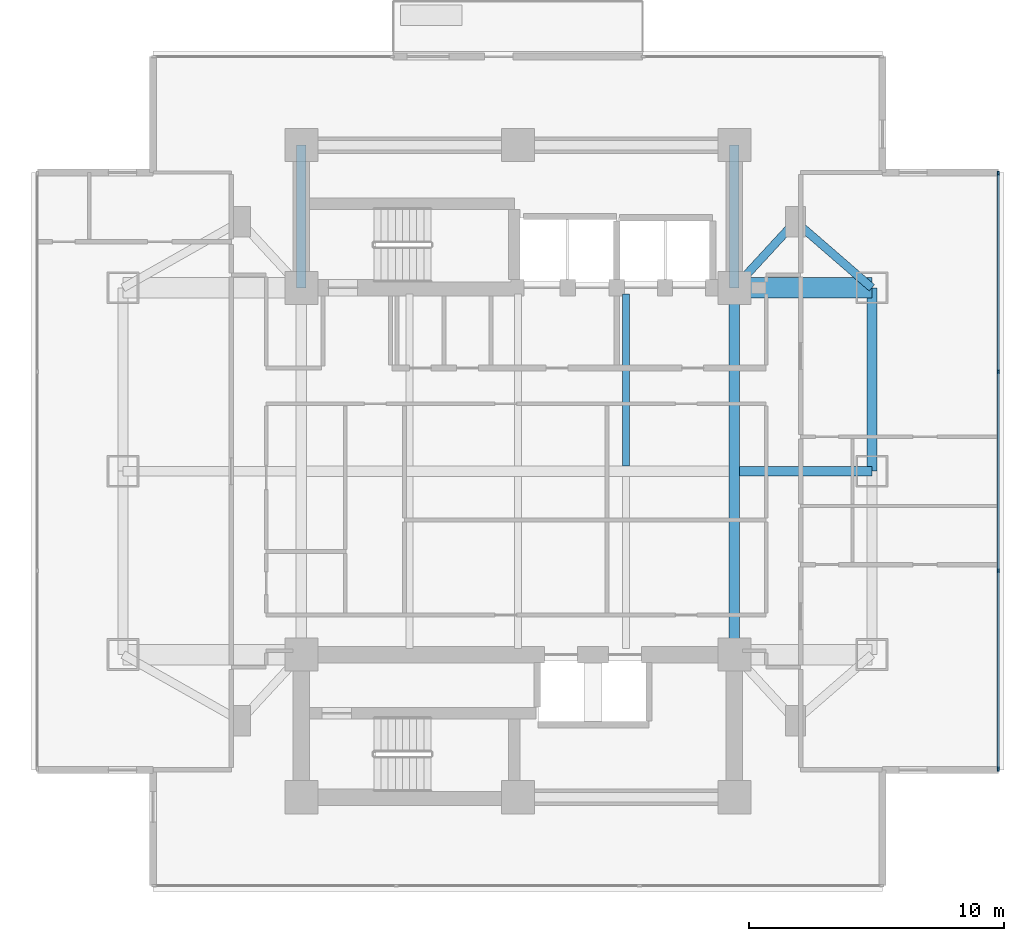
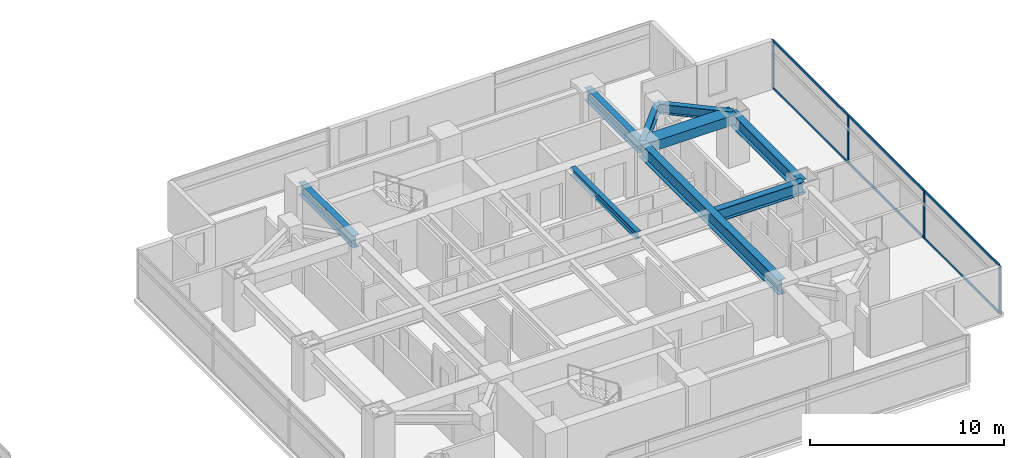
# One storey, part 10 of 24: 10 members, 9 beams, 1 element without a shape of its own.
"""IFC4 building model written with IfcOpenShell, lengths in metres."""

from ifc_helpers import new_model, si_unit, direction, frame, origin, origin_2d, place, context, subcontext, project, spatial, rectangle, i_section, extrude, material, material_profile, profile_set, type_object, element, aggregate, save


model = new_model("IFC4")

# Units and contexts
model_context = context("Model", 3, precision=1e-05, world=origin(), true_north=direction((0.0, 1.0)))
body_context = subcontext(model_context, "Body", "Model", "MODEL_VIEW")
ifc_project = project(units=[si_unit("LENGTHUNIT", "METRE"), si_unit("AREAUNIT", "SQUARE_METRE"), si_unit("VOLUMEUNIT", "CUBIC_METRE"), si_unit("PLANEANGLEUNIT", "RADIAN"), si_unit("MASSUNIT", "GRAM", prefix="KILO")], contexts=[model_context])

# Site, building, storey
site_placement = place(None, origin())
site = spatial("IfcSite", under=ifc_project, at=site_placement, CompositionType="ELEMENT")
building_placement = place(site_placement, origin())
building = spatial("IfcBuilding", under=site, at=building_placement, Name="Mirazonda Arch Towers", CompositionType="ELEMENT")
storey_placement = place(building_placement, frame((0.0, 0.0, 71.89990234375)))
storey = spatial("IfcBuildingStorey", under=building, at=storey_placement, Name="L20", CompositionType="ELEMENT", Elevation=71.89990234375)

# Beams
ifc_material_1 = material(Name="Steel ASTM A992 Grade 50", Category="steel")
ifc_material_profile_1 = material_profile(ifc_material_1, i_section(OverallWidth=0.39990234375, OverallDepth=0.85595703125, WebThickness=0.018310546875, FlangeThickness=0.029296875, at=origin_2d()), Name="W33X201")
ifc_profile_set_1 = profile_set([ifc_material_profile_1], Name="Steel ASTM A992 Grade 50")
beam_type_1 = type_object("IfcBeamType", Name="BM-EXT-W33X201", PredefinedType="USERDEFINED", material=ifc_profile_set_1)
beam_1_placement = place(storey_placement, frame((90.39990234375, 28.0, 2.632080078125), z_axis=(0.0, 1.0, 0.0), x_axis=(-1.0, 0.0, 0.0)))
element("IfcBeam", 1, at=beam_1_placement, inside=storey, type_object=beam_type_1, Name="L20 Floor Beam BM-T2-L20-NS-E-28", ObjectType="GIRDER", PredefinedType="USERDEFINED", context=body_context, shape_type="SweptSolid", body=[
    extrude(i_section(OverallWidth=0.39990234375, OverallDepth=0.85595703125, WebThickness=0.018310546875, FlangeThickness=0.029296875, at=origin_2d()), origin(), (0.0, 0.0, 1.0), 7.199951171875),
])
ifc_material_profile_2 = material_profile(ifc_material_1, i_section(OverallWidth=0.280029296875, OverallDepth=0.462890625, WebThickness=0.0107421875, FlangeThickness=0.017333984375, at=origin_2d()), Name="W18X76")
ifc_profile_set_2 = profile_set([ifc_material_profile_2], Name="Steel ASTM A992 Grade 50")
beam_type_2 = type_object("IfcBeamType", Name="BM-INT-W18X76", PredefinedType="JOIST", material=ifc_profile_set_2)
beam_2_placement = place(storey_placement, frame((80.75, 28.205078125, 2.82861328125), z_axis=(0.0, 1.0, 0.0), x_axis=(-1.0, 0.0, 0.0)))
element("IfcBeam", 2, at=beam_2_placement, inside=storey, type_object=beam_type_2, Name="L20 Floor Beam BM-T2-L20-J-807-28", PredefinedType="JOIST", context=body_context, shape_type="SweptSolid", body=[
    extrude(i_section(OverallWidth=0.280029296875, OverallDepth=0.462890625, WebThickness=0.0107421875, FlangeThickness=0.017333984375, at=origin_2d()), origin(), (0.0, 0.0, 1.0), 6.7548828125),
])
ifc_material_profile_3 = material_profile(ifc_material_1, i_section(OverallWidth=0.324951171875, OverallDepth=0.615966796875, WebThickness=0.013916015625, FlangeThickness=0.021484375, at=origin_2d()), Name="W24X117")
ifc_profile_set_3 = profile_set([ifc_material_profile_3], Name="Steel ASTM A992 Grade 50")
beam_type_3 = type_object("IfcBeamType", Name="BM-INT-W24X117", PredefinedType="BEAM", material=ifc_profile_set_3)
beam_3_placement = place(storey_placement, frame((87.39990234375, 37.800048828125, 2.752197265625), z_axis=(-0.678251444854, -0.734829897019, 0.0), x_axis=(0.734829897019, -0.678251444854, 0.0)))
element("IfcBeam", 3, at=beam_3_placement, inside=storey, type_object=beam_type_3, Name="L20 Floor Beam BM-T2-L20-PL-NE1", PredefinedType="BEAM", context=body_context, shape_type="SweptSolid", body=[
    extrude(i_section(OverallWidth=0.324951171875, OverallDepth=0.615966796875, WebThickness=0.013916015625, FlangeThickness=0.021484375, at=origin_2d()), origin(), (0.0, 0.0, 1.0), 3.538330078125),
])
beam_4_placement = place(storey_placement, frame((87.39990234375, 37.800048828125, 2.752197265625), z_axis=(0.755676908098, -0.654944585876, 0.0), x_axis=(0.654944585876, 0.755676908098, 0.0)))
element("IfcBeam", 4, at=beam_4_placement, inside=storey, type_object=beam_type_3, Name="L20 Floor Beam BM-T2-L20-PL-NE2", PredefinedType="BEAM", context=body_context, shape_type="SweptSolid", body=[
    extrude(i_section(OverallWidth=0.324951171875, OverallDepth=0.615966796875, WebThickness=0.013916015625, FlangeThickness=0.021484375, at=origin_2d()), origin(), (0.0, 0.0, 1.0), 3.969970703125),
])
ifc_material_profile_4 = material_profile(ifc_material_1, i_section(OverallWidth=0.381103515625, OverallDepth=0.77294921875, WebThickness=0.0166015625, FlangeThickness=0.027099609375, at=origin_2d()), Name="W30X173")
ifc_profile_set_4 = profile_set([ifc_material_profile_4], Name="Steel ASTM A992 Grade 50")
beam_type_4 = type_object("IfcBeamType", Name="BM-INT-W30X173", PredefinedType="USERDEFINED", material=ifc_profile_set_4)
for number, where, z_axis, x_axis, name in (
    (5, (68.0, 35.199951171875, 2.673583984375), (0.0, 1.0, 0.0), (-1.0, 0.0, 0.0), "L20 Floor Beam BM-T2-L20-CNW"),
    (6, (85.0, 35.199951171875, 2.673583984375), (0.0, 1.0, 0.0), (-1.0, 0.0, 0.0), "L20 Floor Beam BM-T2-L20-CNE"),
):
    element("IfcBeam", number, at=place(storey_placement, frame(where, z_axis=z_axis, x_axis=x_axis)), inside=storey, type_object=beam_type_4, Name=name, ObjectType="GIRDER", PredefinedType="USERDEFINED", context=body_context, shape_type="SweptSolid", body=[
        extrude(i_section(OverallWidth=0.381103515625, OverallDepth=0.77294921875, WebThickness=0.0166015625, FlangeThickness=0.027099609375, at=origin_2d()), origin(), (0.0, 0.0, 1.0), 5.60009765625),
    ])
beam_5_placement = place(storey_placement, frame((85.208984375, 28.0, 2.673583984375), z_axis=(1.0, 0.0, 0.0), x_axis=(0.0, 1.0, 0.0)))
element("IfcBeam", 7, at=beam_5_placement, inside=storey, type_object=beam_type_4, Name="L20 Floor Beam BM-T2-L20-GE2", ObjectType="GIRDER", PredefinedType="USERDEFINED", context=body_context, shape_type="SweptSolid", body=[
    extrude(i_section(OverallWidth=0.381103515625, OverallDepth=0.77294921875, WebThickness=0.0166015625, FlangeThickness=0.027099609375, at=origin_2d()), origin(), (0.0, 0.0, 1.0), 5.19091796875),
])
ifc_material_profile_5 = material_profile(ifc_material_1, i_section(OverallWidth=0.41796875, OverallDepth=0.927001953125, WebThickness=0.019287109375, FlangeThickness=0.031982421875, at=origin_2d()), Name="W36X231")
ifc_profile_set_5 = profile_set([ifc_material_profile_5], Name="Steel ASTM A992 Grade 50")
beam_type_5 = type_object("IfcBeamType", Name="BM-INT-W36X231", PredefinedType="USERDEFINED", material=ifc_profile_set_5)
beam_6_placement = place(storey_placement, frame((85.0, 20.800048828125, 2.5966796875), z_axis=(0.0, 1.0, 0.0), x_axis=(-1.0, 0.0, 0.0)))
element("IfcBeam", 8, at=beam_6_placement, inside=storey, type_object=beam_type_5, Name="L20 Floor Beam BM-T2-L20-NS-CE-FULL", ObjectType="GIRDER", PredefinedType="USERDEFINED", context=body_context, shape_type="SweptSolid", body=[
    extrude(i_section(OverallWidth=0.41796875, OverallDepth=0.927001953125, WebThickness=0.019287109375, FlangeThickness=0.031982421875, at=origin_2d()), origin(), (0.0, 0.0, 1.0), 14.39990234375),
])
ifc_material_2 = material(Name="Concrete C60/75", Category="concrete")
ifc_material_profile_6 = material_profile(ifc_material_2, rectangle(XDim=0.800048828125, YDim=0.60009765625, at=origin_2d()), Name="RCCB800x600")
ifc_profile_set_6 = profile_set([ifc_material_profile_6], Name="Concrete C60/75")
beam_type_6 = type_object("IfcBeamType", Name="CB-INT-RCCB800x600", PredefinedType="SPANDREL", material=ifc_profile_set_6)
beam_7_placement = place(storey_placement, frame((85.0, 35.199951171875, 2.760009765625), z_axis=(1.0, 0.0, 0.0), x_axis=(0.0, 1.0, 0.0)))
element("IfcBeam", 9, at=beam_7_placement, inside=storey, type_object=beam_type_6, Name="L20 Floor Beam CBC-T2-L20-NE", PredefinedType="SPANDREL", context=body_context, shape_type="SweptSolid", body=[
    extrude(rectangle(XDim=0.800048828125, YDim=0.60009765625, at=origin_2d()), origin(), (0.0, 0.0, 1.0), 5.39990234375),
])

# Curtain wall, members
ifc_material_3 = material(Name="Anodised Aluminium and Low-E Glass", Category="aluminium")
curtain_wall_type = type_object("IfcCurtainWallType", Name="CW-HTL-UNIT", PredefinedType="NOTDEFINED", material=ifc_material_3)
curtain_wall_placement = place(storey_placement, origin())
curtain_wall = element("IfcCurtainWall", 10, at=curtain_wall_placement, inside=storey, type_object=curtain_wall_type, Name="L20 T2 E Facade CW-L20-T2-E", PredefinedType="NOTDEFINED")
ifc_material_4 = material(Name="Anodised Aluminium Alloy", Category="aluminium")
ifc_material_profile_7 = material_profile(ifc_material_4, rectangle(XDim=0.074951171875, YDim=0.1650390625, at=origin_2d()), Name="ALU-MULL-75x165")
ifc_profile_set_7 = profile_set([ifc_material_profile_7], Name="Anodised Aluminium Alloy")
member_type_1 = type_object("IfcMemberType", Name="MULL-CW-HTL-UNIT", PredefinedType="MULLION", material=ifc_profile_set_7)
member_1_placement = place(storey_placement, frame((95.367919921875, 16.3076171875, 0.0), z_axis=(0.0, 0.0, 1.0), x_axis=(-1.0, 0.0, 0.0)))
member_1 = element("IfcMember", 11, at=member_1_placement, type_object=member_type_1, Name="CW-112 mullion 1", PredefinedType="MULLION", context=body_context, shape_type="SweptSolid", body=[
    extrude(rectangle(XDim=0.074951171875, YDim=0.1650390625, at=origin_2d()), origin(), (0.0, 0.0, 1.0), 3.0400390625),
])
member_2_placement = place(storey_placement, frame((95.367919921875, 24.090087890625, 0.0), z_axis=(0.0, 0.0, 1.0), x_axis=(-1.0, 0.0, 0.0)))
member_2 = element("IfcMember", 12, at=member_2_placement, type_object=member_type_1, Name="CW-112 mullion 2", PredefinedType="MULLION", context=body_context, shape_type="SweptSolid", body=[
    extrude(rectangle(XDim=0.074951171875, YDim=0.1650390625, at=origin_2d()), origin(), (0.0, 0.0, 1.0), 3.0400390625),
])
member_3_placement = place(storey_placement, frame((95.367919921875, 31.909912109375, 0.0), z_axis=(0.0, 0.0, 1.0), x_axis=(-1.0, 0.0, 0.0)))
member_3 = element("IfcMember", 13, at=member_3_placement, type_object=member_type_1, Name="CW-112 mullion 3", PredefinedType="MULLION", context=body_context, shape_type="SweptSolid", body=[
    extrude(rectangle(XDim=0.074951171875, YDim=0.1650390625, at=origin_2d()), origin(), (0.0, 0.0, 1.0), 3.0400390625),
])
member_4_placement = place(storey_placement, frame((95.367919921875, 39.6923828125, 0.0), z_axis=(0.0, 0.0, 1.0), x_axis=(-1.0, 0.0, 0.0)))
member_4 = element("IfcMember", 14, at=member_4_placement, type_object=member_type_1, Name="CW-112 mullion 4", PredefinedType="MULLION", context=body_context, shape_type="SweptSolid", body=[
    extrude(rectangle(XDim=0.074951171875, YDim=0.1650390625, at=origin_2d()), origin(), (0.0, 0.0, 1.0), 3.0400390625),
])
ifc_material_profile_8 = material_profile(ifc_material_4, rectangle(XDim=0.074951171875, YDim=0.14501953125, at=origin_2d()), Name="ALU-TRAN-75x145")
ifc_profile_set_8 = profile_set([ifc_material_profile_8], Name="Anodised Aluminium Alloy")
member_type_2 = type_object("IfcMemberType", Name="TRAN-CW-HTL-UNIT", PredefinedType="USERDEFINED", material=ifc_profile_set_8)
member_5_placement = place(storey_placement, frame((95.367919921875, 16.34521484375, 0.03759765625), z_axis=(0.0, 1.0, 0.0), x_axis=(-1.0, 0.0, 0.0)))
member_5 = element("IfcMember", 15, at=member_5_placement, type_object=member_type_2, Name="CW-112 transom 1.1", ObjectType="TRANSOM", PredefinedType="USERDEFINED", context=body_context, shape_type="SweptSolid", body=[
    extrude(rectangle(XDim=0.074951171875, YDim=0.14501953125, at=origin_2d()), origin(), (0.0, 0.0, 1.0), 7.707275390625),
])
member_6_placement = place(storey_placement, frame((95.367919921875, 16.34521484375, 3.002685546875), z_axis=(0.0, 1.0, 0.0), x_axis=(-1.0, 0.0, 0.0)))
member_6 = element("IfcMember", 16, at=member_6_placement, type_object=member_type_2, Name="CW-112 transom 1.2", ObjectType="TRANSOM", PredefinedType="USERDEFINED", context=body_context, shape_type="SweptSolid", body=[
    extrude(rectangle(XDim=0.074951171875, YDim=0.14501953125, at=origin_2d()), origin(), (0.0, 0.0, 1.0), 7.707275390625),
])
member_7_placement = place(storey_placement, frame((95.367919921875, 24.127685546875, 0.03759765625), z_axis=(0.0, 1.0, 0.0), x_axis=(-1.0, 0.0, 0.0)))
member_7 = element("IfcMember", 17, at=member_7_placement, type_object=member_type_2, Name="CW-112 transom 2.1", ObjectType="TRANSOM", PredefinedType="USERDEFINED", context=body_context, shape_type="SweptSolid", body=[
    extrude(rectangle(XDim=0.074951171875, YDim=0.14501953125, at=origin_2d()), origin(), (0.0, 0.0, 1.0), 7.74462890625),
])
member_8_placement = place(storey_placement, frame((95.367919921875, 24.127685546875, 3.002685546875), z_axis=(0.0, 1.0, 0.0), x_axis=(-1.0, 0.0, 0.0)))
member_8 = element("IfcMember", 18, at=member_8_placement, type_object=member_type_2, Name="CW-112 transom 2.2", ObjectType="TRANSOM", PredefinedType="USERDEFINED", context=body_context, shape_type="SweptSolid", body=[
    extrude(rectangle(XDim=0.074951171875, YDim=0.14501953125, at=origin_2d()), origin(), (0.0, 0.0, 1.0), 7.74462890625),
])
member_9_placement = place(storey_placement, frame((95.367919921875, 31.947509765625, 0.03759765625), z_axis=(0.0, 1.0, 0.0), x_axis=(-1.0, 0.0, 0.0)))
member_9 = element("IfcMember", 19, at=member_9_placement, type_object=member_type_2, Name="CW-112 transom 3.1", ObjectType="TRANSOM", PredefinedType="USERDEFINED", context=body_context, shape_type="SweptSolid", body=[
    extrude(rectangle(XDim=0.074951171875, YDim=0.14501953125, at=origin_2d()), origin(), (0.0, 0.0, 1.0), 7.707275390625),
])
member_10_placement = place(storey_placement, frame((95.367919921875, 31.947509765625, 3.002685546875), z_axis=(0.0, 1.0, 0.0), x_axis=(-1.0, 0.0, 0.0)))
member_10 = element("IfcMember", 20, at=member_10_placement, type_object=member_type_2, Name="CW-112 transom 3.2", ObjectType="TRANSOM", PredefinedType="USERDEFINED", context=body_context, shape_type="SweptSolid", body=[
    extrude(rectangle(XDim=0.074951171875, YDim=0.14501953125, at=origin_2d()), origin(), (0.0, 0.0, 1.0), 7.707275390625),
])
aggregate(curtain_wall, [member_1, member_2, member_3, member_4, member_5, member_6, member_7, member_8, member_9, member_10])

save(model, "model.ifc")
